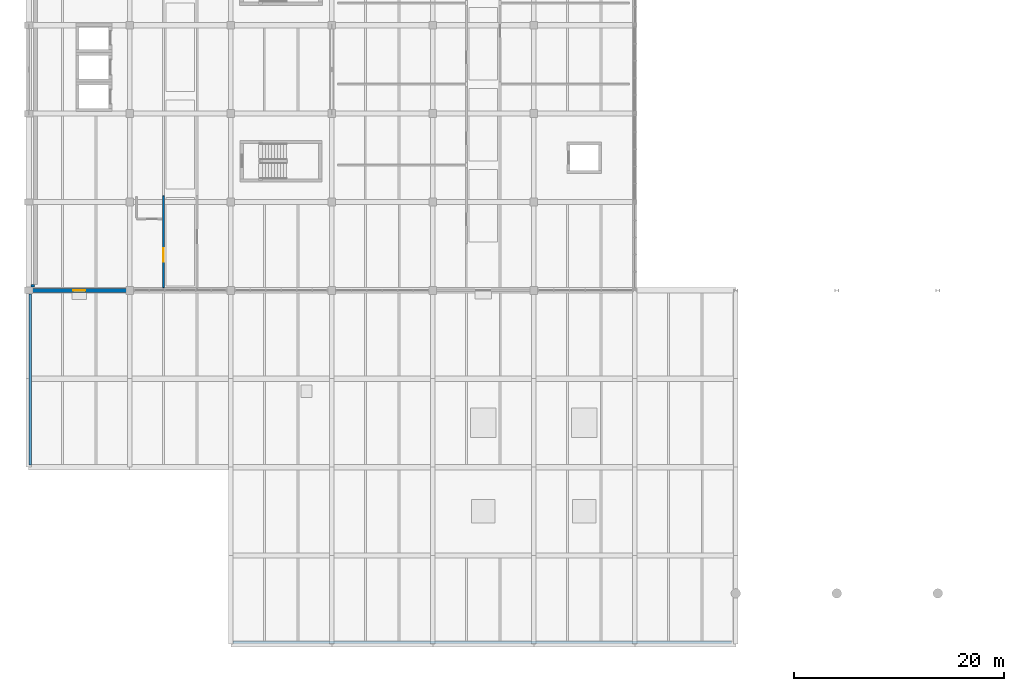
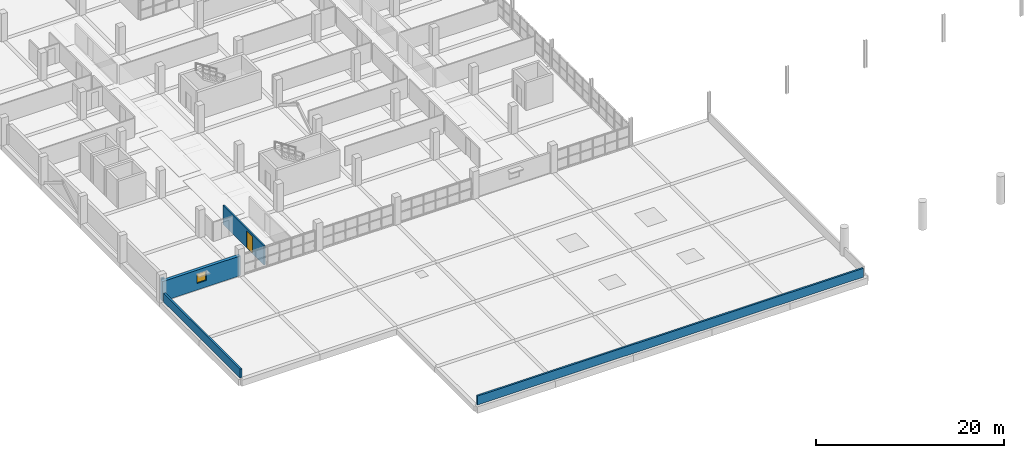
# One storey, part 118 of 147: 5 walls, 1 door, 1 window, 2 openings.
"""IFC4 building model written with IfcOpenShell, lengths in metres."""

from ifc_helpers import new_model, si_unit, direction, frame, frame_2d, origin, place, context, subcontext, project, spatial, rectangle, extrude, material, layer, layer_set, type_object, element, fill, save


model = new_model("IFC4")

# Units and contexts
model_context = context("Model", 3, precision=1e-05, world=origin(), true_north=direction((0.0, 1.0)))
body_context = subcontext(model_context, "Body", "Model", "MODEL_VIEW")
ifc_project = project(units=[si_unit("LENGTHUNIT", "METRE"), si_unit("AREAUNIT", "SQUARE_METRE"), si_unit("VOLUMEUNIT", "CUBIC_METRE"), si_unit("PLANEANGLEUNIT", "RADIAN"), si_unit("MASSUNIT", "GRAM", prefix="KILO")], contexts=[model_context])

# Site, building, storey
site_placement = place(None, origin())
site = spatial("IfcSite", under=ifc_project, at=site_placement, CompositionType="ELEMENT")
building_placement = place(site_placement, origin())
building = spatial("IfcBuilding", under=site, at=building_placement, Name="Oolite Switchyard Hospital", CompositionType="ELEMENT")
storey_placement = place(building_placement, frame((0.0, 0.0, 9.89990234375)))
storey = spatial("IfcBuildingStorey", under=building, at=storey_placement, Name="L02", CompositionType="ELEMENT", Elevation=9.89990234375)

# Wall
ifc_material_1 = material(Name="Precast oolitic limestone architectural concrete C40/50", Category="masonry")
ifc_layer_1 = layer(ifc_material_1, 0.260009765625)
ifc_layer_set_1 = layer_set([ifc_layer_1], Name="WAL-EXT-260")
wall_type_1 = type_object("IfcWallType", Name="WAL-EXT-260", PredefinedType="SOLIDWALL", material=ifc_layer_set_1)
wall_1_placement = place(storey_placement, frame((0.199951171875, 34.0400390625, 0.0), z_axis=(0.0, 0.0, 1.0), x_axis=(1.0, 0.0, 0.0)))
element("IfcWall", 1, at=wall_1_placement, inside=storey, type_object=wall_type_1, Name="L02 Brace Alcove Cheek Wall 149", PredefinedType="SOLIDWALL", context=body_context, shape_type="SweptSolid", body=[
    extrude(rectangle(XDim=0.360107421875, YDim=0.260009765625, at=frame_2d((0.18017578125, 0.0))), origin(), (0.0, 0.0, 1.0), 2.570068359375),
])

# Wall, opening, window
ifc_layer_2 = layer(ifc_material_1, 0.3798828125)
ifc_layer_set_2 = layer_set([ifc_layer_2], Name="WAL-EXT-380")
wall_type_2 = type_object("IfcWallType", Name="WAL-EXT-380", PredefinedType="SOLIDWALL", material=ifc_layer_set_2)
wall_2_placement = place(storey_placement, frame((9.60009765625, 33.60009765625, 0.0), z_axis=(0.0, 0.0, 1.0), x_axis=(-1.0, 0.0, 0.0)))
wall_2 = element("IfcWall", 2, at=wall_2_placement, inside=storey, type_object=wall_type_2, Name="L02 Exterior Spandrel Wall 130", PredefinedType="SOLIDWALL", context=body_context, shape_type="SweptSolid", body=[
    extrude(rectangle(XDim=9.60009765625, YDim=0.3798828125, at=frame_2d((4.800048828125, 0.0))), origin(), (0.0, 0.0, 1.0), 2.570068359375),
])
opening_1_placement = place(wall_2_placement, frame((4.22509765625, 0.0, 0.85009765625)))
opening_1 = element("IfcOpeningElement", 3, at=opening_1_placement, cuts=wall_2, Name="Opening WN-0047", PredefinedType="OPENING", context=body_context, shape_type="SweptSolid", body=[
    extrude(rectangle(XDim=1.14990234375, YDim=1.199951171875, at=frame_2d((0.574951171875, 0.60009765625))), frame((0.0, 0.199951171875, 0.0), z_axis=(0.0, -1.0, 0.0), x_axis=(1.0, 0.0, 0.0)), (0.0, 0.0, 1.0), 0.39990234375),
])
ifc_material_2 = material(Name="Thermally broken aluminum frame with laminated impact glazing", Category="aluminium")
window_type = type_object("IfcWindowType", Name="WIN-IMP-115X120", PartitioningType="SINGLE_PANEL", PredefinedType="WINDOW", material=ifc_material_2)
window_placement = place(opening_1_placement, origin())
window = element("IfcWindow", 4, at=window_placement, inside=storey, type_object=window_type, Name="L02 Hurricane Impact Window WN-0047", OverallHeight=1.199951171875, OverallWidth=1.14990234375, PartitioningType="SINGLE_PANEL", PredefinedType="WINDOW", context=body_context, shape_type="SweptSolid", body=[
    extrude(rectangle(XDim=1.14990234375, YDim=1.199951171875, at=frame_2d((0.574951171875, 0.60009765625))), frame((0.0, 0.030029296875, 0.0), z_axis=(0.0, -1.0, 0.0), x_axis=(1.0, 0.0, 0.0)), (0.0, 0.0, 1.0), 0.06005859375),
])
fill(opening_1, window)

# Walls
ifc_layer_3 = layer(ifc_material_1, 0.219970703125)
ifc_layer_set_3 = layer_set([ifc_layer_3], Name="WAL-PAR-220")
wall_type_3 = type_object("IfcWallType", Name="WAL-PAR-220", PredefinedType="PARAPET", material=ifc_layer_set_3)
wall_3_placement = place(storey_placement, frame((19.39990234375, 0.14990234375, 0.0), z_axis=(0.0, 0.0, 1.0), x_axis=(1.0, 0.0, 0.0)))
element("IfcWall", 5, at=wall_3_placement, inside=storey, type_object=wall_type_3, Name="L02 Roof Parapet Wall 1", PredefinedType="PARAPET", context=body_context, shape_type="SweptSolid", body=[
    extrude(rectangle(XDim=47.400146484375, YDim=0.219970703125, at=frame_2d((23.7001953125, 0.0))), origin(), (0.0, 0.0, 1.0), 1.150146484375),
])
wall_4_placement = place(storey_placement, frame((0.14990234375, 17.0, 0.0), z_axis=(0.0, 0.0, 1.0), x_axis=(0.0, 1.0, 0.0)))
element("IfcWall", 6, at=wall_4_placement, inside=storey, type_object=wall_type_3, Name="L02 Roof Parapet Wall 3", PredefinedType="PARAPET", context=body_context, shape_type="SweptSolid", body=[
    extrude(rectangle(XDim=16.25, YDim=0.219970703125, at=frame_2d((8.125, 0.0))), origin(), (0.0, 0.0, 1.0), 1.150146484375),
])

# Wall, opening, door
ifc_material_3 = material(Name="Moisture-resistant gypsum board on steel studs", Category="steel")
ifc_layer_4 = layer(ifc_material_3, 0.1650390625)
ifc_layer_set_4 = layer_set([ifc_layer_4], Name="WAL-PART-165")
wall_type_4 = type_object("IfcWallType", Name="WAL-PART-165", PredefinedType="PARTITIONING", material=ifc_layer_set_4)
wall_5_placement = place(storey_placement, frame((12.800048828125, 33.85009765625, 0.0), z_axis=(0.0, 0.0, 1.0), x_axis=(0.0, 1.0, 0.0)))
wall_5 = element("IfcWall", 7, at=wall_5_placement, inside=storey, type_object=wall_type_4, Name="L02 Interior Partition 492", PredefinedType="PARTITIONING", context=body_context, shape_type="SweptSolid", body=[
    extrude(rectangle(XDim=8.739990234375, YDim=0.1650390625, at=frame_2d((4.3701171875, 0.0))), origin(), (0.0, 0.0, 1.0), 2.47998046875),
])
opening_2_placement = place(wall_5_placement, frame((2.449951171875, 0.0, 0.0)))
opening_2 = element("IfcOpeningElement", 8, at=opening_2_placement, cuts=wall_5, Name="Opening D-0277", PredefinedType="OPENING", context=body_context, shape_type="SweptSolid", body=[
    extrude(rectangle(XDim=1.300048828125, YDim=2.199951171875, at=frame_2d((0.64990234375, 1.10009765625))), frame((0.0, 0.092529296875, 0.0), z_axis=(0.0, -1.0, 0.0), x_axis=(1.0, 0.0, 0.0)), (0.0, 0.0, 1.0), 0.18505859375),
])
ifc_material_4 = material(Name="Solid-core antimicrobial hardwood leaf in steel frame", Category="steel")
door_type = type_object("IfcDoorType", Name="DR-WARD-130X220", OperationType="NOTDEFINED", PredefinedType="DOOR", material=ifc_material_4)
door_placement = place(opening_2_placement, origin())
door = element("IfcDoor", 9, at=door_placement, inside=storey, type_object=door_type, Name="L02 Interior Door D-0277", OperationType="SINGLE_SWING_LEFT", OverallHeight=2.199951171875, OverallWidth=1.300048828125, PredefinedType="DOOR", context=body_context, shape_type="SweptSolid", body=[
    extrude(rectangle(XDim=1.300048828125, YDim=2.199951171875, at=frame_2d((0.64990234375, 1.10009765625))), frame((0.0, 0.02490234375, 0.0), z_axis=(0.0, -1.0, 0.0), x_axis=(1.0, 0.0, 0.0)), (0.0, 0.0, 1.0), 0.050048828125),
])
fill(opening_2, door)

save(model, "model.ifc")
